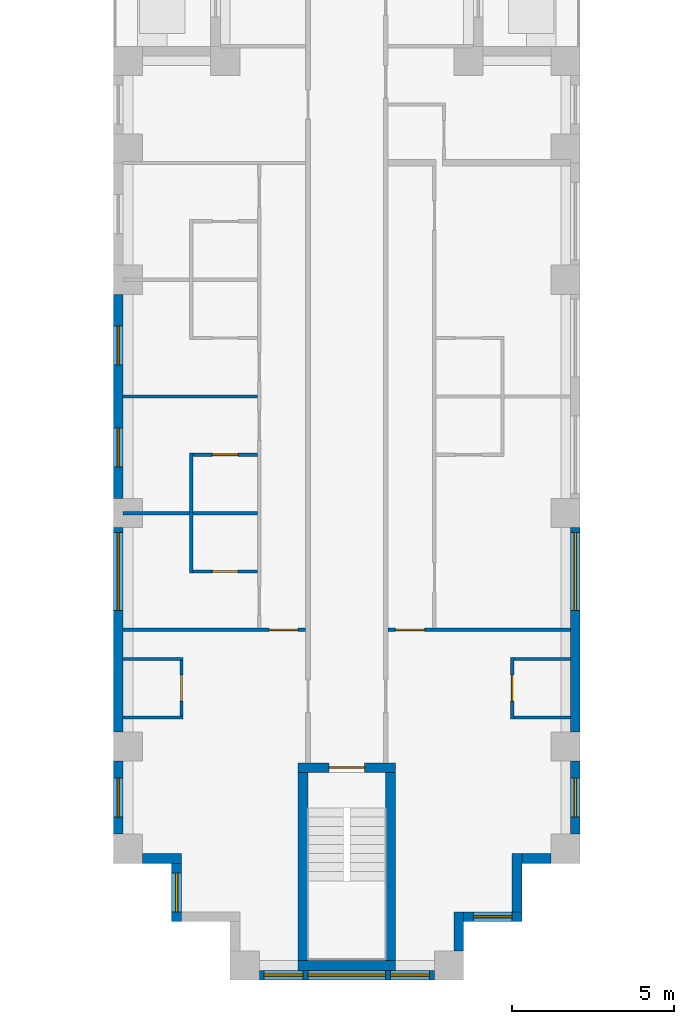
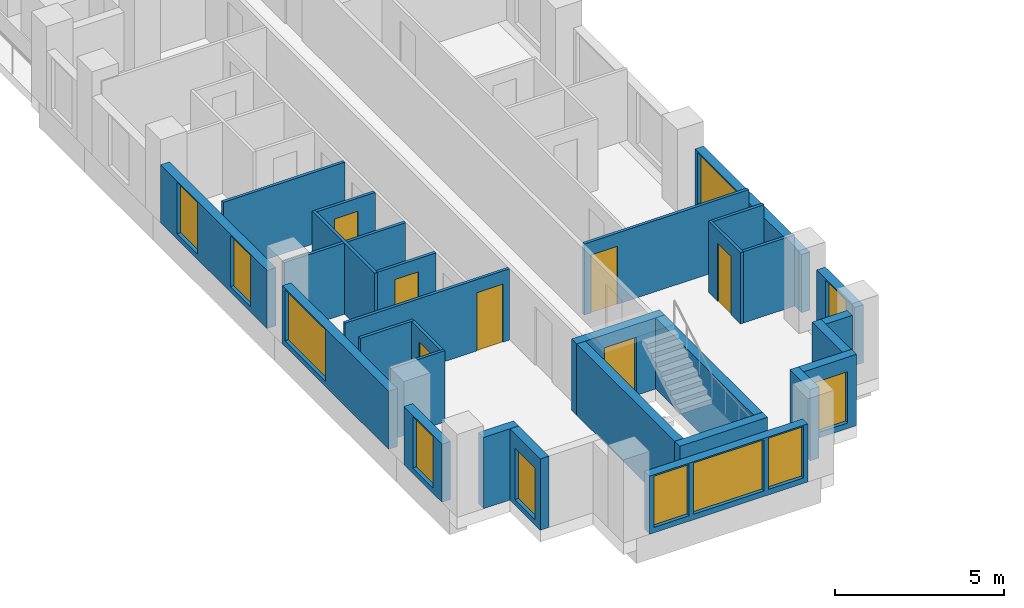
# One storey, part 3 of 13: 29 walls, 11 windows, 7 doors, 18 openings.
"""IFC4 building model written with IfcOpenShell, lengths in metres."""

import ifcopenshell
import ifcopenshell.guid

model = None  # the IFC model being written
_history = None  # IfcOwnerHistory: only IFC2X3 demands one
_inside = {}  # id of a spatial element -> (the spatial element, [elements in it])
_under = {}  # id of a project, library or spatial element -> (it, [spatial elements below it])
_declared = {}  # id of a project -> (the project, [libraries it declares])
_typed = {}  # id of a type object -> (the type object, [elements of that type])
_made_of = {}  # id of a material, layer set ... -> (it, [elements and type objects made of it])


def new_model(schema):
    """Start an empty IFC model of exactly this schema.

    Asked for "IFC4X3", IfcOpenShell would pick the latest addendum, in which some entities
    have other attributes; the version numbers below select the first issue.
    IFC2X3 requires an IfcOwnerHistory on every rooted entity: one is made here for all.
    """
    global model, _history
    if schema == "IFC4X3":
        model = ifcopenshell.file(schema_version=(4, 3, 0, 0))
    else:
        model = ifcopenshell.file(schema=schema)
    _inside.clear()
    _under.clear()
    _declared.clear()
    _typed.clear()
    _made_of.clear()
    _history = None
    if model.schema == "IFC2X3":
        org = make("IfcOrganization", Name="unknown")
        user = make(
            "IfcPersonAndOrganization",
            ThePerson=make("IfcPerson", FamilyName="unknown"),
            TheOrganization=org,
        )
        app = make(
            "IfcApplication",
            ApplicationDeveloper=org,
            Version="unknown",
            ApplicationFullName="unknown",
            ApplicationIdentifier="unknown",
        )
        _history = make(
            "IfcOwnerHistory",
            OwningUser=user,
            OwningApplication=app,
            ChangeAction="ADDED",
            CreationDate=0,
        )
    return model


def make(cls, **values):
    """One entity of the class cls with the attributes given. An attribute that is None is left unset."""
    return model.create_entity(
        cls, **{name: value for name, value in values.items() if value is not None}
    )


def rooted(cls, **values):
    """An entity with a GlobalId (a new one), such as an element, a storey or a relation."""
    return make(cls, GlobalId=ifcopenshell.guid.new(), OwnerHistory=_history, **values)


def si_unit(unit_type, name, prefix=None):
    """IfcSIUnit, for example si_unit("LENGTHUNIT", "METRE", prefix="MILLI")."""
    return make("IfcSIUnit", UnitType=unit_type, Prefix=prefix, Name=name)


def assignment(units):
    """IfcUnitAssignment: the units of a project."""
    return None if units is None else make("IfcUnitAssignment", Units=units)


def point(xyz):
    """IfcCartesianPoint."""
    return None if xyz is None else make("IfcCartesianPoint", Coordinates=xyz)


def direction(xyz):
    """IfcDirection."""
    return None if xyz is None else make("IfcDirection", DirectionRatios=xyz)


def frame(location, z_axis=None, x_axis=None):
    """IfcAxis2Placement3D, a coordinate frame: its origin and axes. An axis left out is left unset."""
    return make(
        "IfcAxis2Placement3D",
        Location=point(location),
        Axis=direction(z_axis),
        RefDirection=direction(x_axis),
    )


def frame_2d(location, x_axis=None):
    """IfcAxis2Placement2D, a coordinate frame in the plane: its origin and x axis."""
    return make(
        "IfcAxis2Placement2D", Location=point(location), RefDirection=direction(x_axis)
    )


def origin():
    """The frame at (0, 0, 0) with its axes left unset."""
    return frame((0.0, 0.0, 0.0))


def place(relative_to, where):
    """IfcLocalPlacement: puts the frame where relative to a parent placement (None: the world)."""
    return make(
        "IfcLocalPlacement", PlacementRelTo=relative_to, RelativePlacement=where
    )


def context(
    kind, dimensions, precision=None, world=None, true_north=None, identifier=None
):
    """IfcGeometricRepresentationContext, for example the 3D "Model" context."""
    return make(
        "IfcGeometricRepresentationContext",
        ContextIdentifier=identifier,
        ContextType=kind,
        CoordinateSpaceDimension=dimensions,
        Precision=precision,
        WorldCoordinateSystem=world,
        TrueNorth=true_north,
    )


def subcontext(parent, identifier, kind, view, scale=None):
    """IfcGeometricRepresentationSubContext, for example "Body" below "Model"."""
    return make(
        "IfcGeometricRepresentationSubContext",
        ContextIdentifier=identifier,
        ContextType=kind,
        ParentContext=parent,
        TargetScale=scale,
        TargetView=view,
    )


def project(units=None, contexts=None):
    """IfcProject with its units and contexts."""
    return rooted(
        "IfcProject",
        Name="project",
        RepresentationContexts=contexts,
        UnitsInContext=assignment(units),
    )


def spatial(cls, under=None, at=None, **own):
    """A site, building, storey or space (cls), placed at a placement, below another one or the project."""
    s = rooted(cls, ObjectPlacement=at, **own)
    if under is not None:
        _under.setdefault(under.id(), (under, []))[1].append(s)
    return s


def profile(cls, at=None, kind="AREA", **sizes):
    """A parametric profile (cls). Its sizes go by their IFC names, for example OverallWidth=200.0."""
    return make(cls, ProfileType=kind, Position=at, **sizes)


def rectangle(**sizes):
    """IfcRectangleProfileDef."""
    return profile("IfcRectangleProfileDef", **sizes)


def extrude(swept, where, along, depth):
    """IfcExtrudedAreaSolid: the profile swept, set in the frame where, extruded along a direction by depth."""
    return make(
        "IfcExtrudedAreaSolid",
        SweptArea=swept,
        Position=where,
        ExtrudedDirection=direction(along),
        Depth=depth,
    )


def shape(context_of_items, identifier, shape_type, items):
    """IfcShapeRepresentation: the items that make up one representation, for example the "Body"."""
    return make(
        "IfcShapeRepresentation",
        ContextOfItems=context_of_items,
        RepresentationIdentifier=identifier,
        RepresentationType=shape_type,
        Items=items,
    )


def material(Name=None, Category=None):
    """IfcMaterial."""
    return make("IfcMaterial", Name=Name, Category=Category)


def layer(
    of_material, thickness, ventilated=None, Name=None, Category=None, Priority=None
):
    """IfcMaterialLayer: one layer of a wall or slab, of a material (None: an air gap)."""
    return make(
        "IfcMaterialLayer",
        Material=of_material,
        LayerThickness=thickness,
        IsVentilated=ventilated,
        Name=Name,
        Category=Category,
        Priority=Priority,
    )


def layer_set(layers, Name=None):
    """IfcMaterialLayerSet."""
    return make("IfcMaterialLayerSet", MaterialLayers=layers, LayerSetName=Name)


def made_of(thing, what):
    """Note that an element or type object is made of a material, layer set ...; save() writes the relation."""
    if what is not None:
        _made_of.setdefault(what.id(), (what, []))[1].append(thing)
    return thing


def type_object(cls, material=None, **own):
    """A type object (cls), such as IfcWallType, which elements share."""
    return made_of(rooted(cls, **own), material)


def element(
    cls,
    number,
    at=None,
    inside=None,
    cuts=None,
    type_object=None,
    material=None,
    context=None,
    identifier="Body",
    shape_type=None,
    held_by="IfcProductDefinitionShape",
    body=None,
    shapes=None,
    **own,
):
    """One element of the class cls, such as IfcWall. Its Tag is "e" and its number.

    at: its placement. inside: the storey or other place that contains it. cuts: it is an
    opening in that element (IfcRelVoidsElement). A single representation is given by context,
    identifier, shape_type and body (its items); several are given by shapes. held_by: the class
    of the entity that holds the representations. save() writes the other relations.
    """
    e = rooted(cls, Tag="e%d" % number, ObjectPlacement=at, **own)
    if body is not None:
        shapes = [shape(context, identifier, shape_type, body)]
    if shapes is not None:
        e.Representation = make(held_by, Representations=shapes)
    if inside is not None:
        _inside.setdefault(inside.id(), (inside, []))[1].append(e)
    if cuts is not None:
        rooted(
            "IfcRelVoidsElement", RelatingBuildingElement=cuts, RelatedOpeningElement=e
        )
    if type_object is not None:
        _typed.setdefault(type_object.id(), (type_object, []))[1].append(e)
    return made_of(e, material)


def fill(opening, filler):
    """IfcRelFillsElement: the door or window that sits in an opening."""
    return rooted(
        "IfcRelFillsElement",
        RelatingOpeningElement=opening,
        RelatedBuildingElement=filler,
    )


def aggregate(whole, parts):
    """IfcRelAggregates: a whole, such as a stair, and the parts it consists of."""
    return rooted("IfcRelAggregates", RelatingObject=whole, RelatedObjects=parts)


def save(model, path):
    """Write the relations noted so far, then the file.

    IfcRelAggregates (storeys below a building ...), IfcRelContainedInSpatialStructure (elements
    in a storey), IfcRelDefinesByType, IfcRelAssociatesMaterial and IfcRelDeclares: one each for
    every whole, place, type object, material and project.
    """
    for whole, parts in _under.values():
        aggregate(whole, parts)
    for where, things in _inside.values():
        rooted(
            "IfcRelContainedInSpatialStructure",
            RelatedElements=things,
            RelatingStructure=where,
        )
    for kind, things in _typed.values():
        rooted("IfcRelDefinesByType", RelatedObjects=things, RelatingType=kind)
    for what, things in _made_of.values():
        rooted("IfcRelAssociatesMaterial", RelatedObjects=things, RelatingMaterial=what)
    for by, libraries in _declared.values():
        rooted("IfcRelDeclares", RelatingContext=by, RelatedDefinitions=libraries)
    model.write(path)


model = new_model("IFC4")

# Units and contexts
model_context = context("Model", 3, precision=1e-05, world=origin(), true_north=direction((0.0, 1.0)))
body_context = subcontext(model_context, "Body", "Model", "MODEL_VIEW")
ifc_project = project(units=[si_unit("LENGTHUNIT", "METRE"), si_unit("AREAUNIT", "SQUARE_METRE"), si_unit("VOLUMEUNIT", "CUBIC_METRE"), si_unit("PLANEANGLEUNIT", "RADIAN"), si_unit("MASSUNIT", "GRAM", prefix="KILO")], contexts=[model_context])

# Site, building, storey
site_placement = place(None, origin())
site = spatial("IfcSite", under=ifc_project, at=site_placement, CompositionType="ELEMENT")
building_placement = place(site_placement, origin())
building = spatial("IfcBuilding", under=site, at=building_placement, Name="Fustian Cross Tower", CompositionType="ELEMENT")
storey_placement = place(building_placement, frame((0.0, 0.0, 87.89990234375)))
storey = spatial("IfcBuildingStorey", under=building, at=storey_placement, Name="L27", CompositionType="ELEMENT", Elevation=87.89990234375)

# Walls
ifc_material_1 = material(Name="Plasterboard on steel stud", Category="steel")
ifc_layer_1 = layer(ifc_material_1, 0.10009765625)
ifc_layer_set_1 = layer_set([ifc_layer_1], Name="Plasterboard on steel stud")
wall_type_1 = type_object("IfcWallType", Name="PARTITION 100 STUD", PredefinedType="PARTITIONING", material=ifc_layer_set_1)
for number, where, z_axis, x_axis, name in (
    (1, (-6.89990234375, -35.10009765625, 0.0), (0.0, 0.0, 1.0), (1.0, 0.0, 0.0), "Partition 17"),
    (2, (-6.89990234375, -33.300048828125, 0.0), (0.0, 0.0, 1.0), (1.0, 0.0, 0.0), "Partition 18"),
):
    element("IfcWall", number, at=place(storey_placement, frame(where, z_axis=z_axis, x_axis=x_axis)), inside=storey, type_object=wall_type_1, Name=name, PredefinedType="PARTITIONING", context=body_context, shape_type="SweptSolid", body=[
        extrude(rectangle(XDim=1.849853515625, YDim=0.10009765625, at=frame_2d((0.9248046875, 0.0))), origin(), (0.0, 0.0, 1.0), 2.5751953125),
    ])

# Wall, opening, door
wall_1_placement = place(storey_placement, frame((-6.89990234375, -32.39990234375, 0.0), z_axis=(0.0, 0.0, 1.0), x_axis=(1.0, 0.0, 0.0)))
wall_1 = element("IfcWall", 3, at=wall_1_placement, inside=storey, type_object=wall_type_1, Name="Partition 19", PredefinedType="PARTITIONING", context=body_context, shape_type="SweptSolid", body=[
    extrude(rectangle(XDim=5.625, YDim=0.10009765625, at=frame_2d((2.8125, 0.0))), origin(), (0.0, 0.0, 1.0), 2.5751953125),
])
opening_1_placement = place(wall_1_placement, frame((4.5, 0.0, 0.0)))
opening_1 = element("IfcOpeningElement", 4, at=opening_1_placement, cuts=wall_1, Name="Opening D13051", PredefinedType="OPENING", context=body_context, shape_type="SweptSolid", body=[
    extrude(rectangle(XDim=0.89990234375, YDim=2.10009765625, at=frame_2d((0.449951171875, 1.050048828125))), frame((0.0, 0.06005859375, 0.0), z_axis=(0.0, -1.0, 0.0), x_axis=(1.0, 0.0, 0.0)), (0.0, 0.0, 1.0), 0.1201171875),
])
ifc_material_2 = material(Name="Painted timber", Category="wood")
door_type_1 = type_object("IfcDoorType", Name="SWING DOOR 900", OperationType="SINGLE_SWING_LEFT", PredefinedType="DOOR", material=ifc_material_2)
door_1_placement = place(opening_1_placement, origin())
door_1 = element("IfcDoor", 5, at=door_1_placement, inside=storey, type_object=door_type_1, Name="Door D13051", OperationType="SINGLE_SWING_LEFT", OverallHeight=2.10009765625, OverallWidth=0.89990234375, PredefinedType="DOOR", context=body_context, shape_type="SweptSolid", body=[
    extrude(rectangle(XDim=0.89990234375, YDim=2.10009765625, at=frame_2d((0.449951171875, 1.050048828125))), frame((0.0, 0.02490234375, 0.0), z_axis=(0.0, -1.0, 0.0), x_axis=(1.0, 0.0, 0.0)), (0.0, 0.0, 1.0), 0.050048828125),
])
fill(opening_1, door_1)

# Walls
for number, where, z_axis, x_axis, name in (
    (6, (-6.89990234375, -28.800048828125, 0.0), (0.0, 0.0, 1.0), (1.0, 0.0, 0.0), "Partition 20"),
    (7, (-6.89990234375, -25.199951171875, 0.0), (0.0, 0.0, 1.0), (1.0, 0.0, 0.0), "Partition 21"),
):
    element("IfcWall", number, at=place(storey_placement, frame(where, z_axis=z_axis, x_axis=x_axis)), inside=storey, type_object=wall_type_1, Name=name, PredefinedType="PARTITIONING", context=body_context, shape_type="SweptSolid", body=[
        extrude(rectangle(XDim=4.14990234375, YDim=0.10009765625, at=frame_2d((2.074951171875, 0.0))), origin(), (0.0, 0.0, 1.0), 2.5751953125),
    ])

# Wall, opening, door
wall_2_placement = place(storey_placement, frame((-5.10009765625, -35.050048828125, 0.0), z_axis=(0.0, 0.0, 1.0), x_axis=(0.0, 1.0, 0.0)))
wall_2 = element("IfcWall", 8, at=wall_2_placement, inside=storey, type_object=wall_type_1, Name="Partition 24", PredefinedType="PARTITIONING", context=body_context, shape_type="SweptSolid", body=[
    extrude(rectangle(XDim=1.699951171875, YDim=0.10009765625, at=frame_2d((0.85009765625, 0.0))), origin(), (0.0, 0.0, 1.0), 2.5751953125),
])
opening_2_placement = place(wall_2_placement, frame((0.449951171875, 0.0, 0.0)))
opening_2 = element("IfcOpeningElement", 9, at=opening_2_placement, cuts=wall_2, Name="Opening D13045", PredefinedType="OPENING", context=body_context, shape_type="SweptSolid", body=[
    extrude(rectangle(XDim=0.800048828125, YDim=2.10009765625, at=frame_2d((0.39990234375, 1.050048828125))), frame((0.0, 0.06005859375, 0.0), z_axis=(0.0, -1.0, 0.0), x_axis=(1.0, 0.0, 0.0)), (0.0, 0.0, 1.0), 0.1201171875),
])
ifc_material_3 = material(Name="Painted timber", Category="wood")
door_type_2 = type_object("IfcDoorType", Name="SWING DOOR 800", OperationType="SINGLE_SWING_LEFT", PredefinedType="DOOR", material=ifc_material_3)
door_2_placement = place(opening_2_placement, origin())
door_2 = element("IfcDoor", 10, at=door_2_placement, inside=storey, type_object=door_type_2, Name="Door D13045", OperationType="SINGLE_SWING_RIGHT", OverallHeight=2.10009765625, OverallWidth=0.800048828125, PredefinedType="DOOR", context=body_context, shape_type="SweptSolid", body=[
    extrude(rectangle(XDim=0.800048828125, YDim=2.10009765625, at=frame_2d((0.39990234375, 1.050048828125))), frame((0.0, 0.02490234375, 0.0), z_axis=(0.0, -1.0, 0.0), x_axis=(1.0, 0.0, 0.0)), (0.0, 0.0, 1.0), 0.050048828125),
])
fill(opening_2, door_2)

# Wall
wall_3_placement = place(storey_placement, frame((-4.800048828125, -30.64990234375, 0.0), z_axis=(0.0, 0.0, 1.0), x_axis=(0.0, 1.0, 0.0)))
element("IfcWall", 11, at=wall_3_placement, inside=storey, type_object=wall_type_1, Name="Partition 25", PredefinedType="PARTITIONING", context=body_context, shape_type="SweptSolid", body=[
    extrude(rectangle(XDim=3.699951171875, YDim=0.10009765625, at=frame_2d((1.85009765625, 0.0))), origin(), (0.0, 0.0, 1.0), 2.5751953125),
])

# Wall, opening, door
wall_4_placement = place(storey_placement, frame((-4.75, -30.60009765625, 0.0), z_axis=(0.0, 0.0, 1.0), x_axis=(1.0, 0.0, 0.0)))
wall_4 = element("IfcWall", 12, at=wall_4_placement, inside=storey, type_object=wall_type_1, Name="Partition 26", PredefinedType="PARTITIONING", context=body_context, shape_type="SweptSolid", body=[
    extrude(rectangle(XDim=2.0, YDim=0.10009765625, at=frame_2d((1.0, 0.0))), origin(), (0.0, 0.0, 1.0), 2.5751953125),
])
opening_3_placement = place(wall_4_placement, frame((0.60009765625, 0.0, 0.0)))
opening_3 = element("IfcOpeningElement", 13, at=opening_3_placement, cuts=wall_4, Name="Opening D13055", PredefinedType="OPENING", context=body_context, shape_type="SweptSolid", body=[
    extrude(rectangle(XDim=0.800048828125, YDim=2.10009765625, at=frame_2d((0.39990234375, 1.050048828125))), frame((0.0, 0.06005859375, 0.0), z_axis=(0.0, -1.0, 0.0), x_axis=(1.0, 0.0, 0.0)), (0.0, 0.0, 1.0), 0.1201171875),
])
door_3_placement = place(opening_3_placement, origin())
door_3 = element("IfcDoor", 14, at=door_3_placement, inside=storey, type_object=door_type_2, Name="Door D13055", OperationType="SINGLE_SWING_LEFT", OverallHeight=2.10009765625, OverallWidth=0.800048828125, PredefinedType="DOOR", context=body_context, shape_type="SweptSolid", body=[
    extrude(rectangle(XDim=0.800048828125, YDim=2.10009765625, at=frame_2d((0.39990234375, 1.050048828125))), frame((0.0, 0.02490234375, 0.0), z_axis=(0.0, -1.0, 0.0), x_axis=(1.0, 0.0, 0.0)), (0.0, 0.0, 1.0), 0.050048828125),
])
fill(opening_3, door_3)

wall_5_placement = place(storey_placement, frame((-4.75, -27.0, 0.0), z_axis=(0.0, 0.0, 1.0), x_axis=(1.0, 0.0, 0.0)))
wall_5 = element("IfcWall", 15, at=wall_5_placement, inside=storey, type_object=wall_type_1, Name="Partition 27", PredefinedType="PARTITIONING", context=body_context, shape_type="SweptSolid", body=[
    extrude(rectangle(XDim=2.0, YDim=0.10009765625, at=frame_2d((1.0, 0.0))), origin(), (0.0, 0.0, 1.0), 2.5751953125),
])
opening_4_placement = place(wall_5_placement, frame((0.60009765625, 0.0, 0.0)))
opening_4 = element("IfcOpeningElement", 16, at=opening_4_placement, cuts=wall_5, Name="Opening D13054", PredefinedType="OPENING", context=body_context, shape_type="SweptSolid", body=[
    extrude(rectangle(XDim=0.800048828125, YDim=2.10009765625, at=frame_2d((0.39990234375, 1.050048828125))), frame((0.0, 0.06005859375, 0.0), z_axis=(0.0, -1.0, 0.0), x_axis=(1.0, 0.0, 0.0)), (0.0, 0.0, 1.0), 0.1201171875),
])
door_4_placement = place(opening_4_placement, frame((0.800048828125, 0.0, 0.0), z_axis=(0.0, 0.0, 1.0), x_axis=(-1.0, 0.0, 0.0)))
door_4 = element("IfcDoor", 17, at=door_4_placement, inside=storey, type_object=door_type_2, Name="Door D13054", OperationType="SINGLE_SWING_RIGHT", OverallHeight=2.10009765625, OverallWidth=0.800048828125, PredefinedType="DOOR", context=body_context, shape_type="SweptSolid", body=[
    extrude(rectangle(XDim=0.800048828125, YDim=2.10009765625, at=frame_2d((0.39990234375, 1.050048828125))), frame((0.0, 0.02490234375, 0.0), z_axis=(0.0, -1.0, 0.0), x_axis=(1.0, 0.0, 0.0)), (0.0, 0.0, 1.0), 0.050048828125),
])
fill(opening_4, door_4)

wall_6_placement = place(storey_placement, frame((1.27490234375, -32.39990234375, 0.0), z_axis=(0.0, 0.0, 1.0), x_axis=(1.0, 0.0, 0.0)))
wall_6 = element("IfcWall", 18, at=wall_6_placement, inside=storey, type_object=wall_type_1, Name="Partition 42", PredefinedType="PARTITIONING", context=body_context, shape_type="SweptSolid", body=[
    extrude(rectangle(XDim=5.625, YDim=0.10009765625, at=frame_2d((2.8125, 0.0))), origin(), (0.0, 0.0, 1.0), 2.5751953125),
])
opening_5_placement = place(wall_6_placement, frame((0.22509765625, 0.0, 0.0)))
opening_5 = element("IfcOpeningElement", 19, at=opening_5_placement, cuts=wall_6, Name="Opening D13038", PredefinedType="OPENING", context=body_context, shape_type="SweptSolid", body=[
    extrude(rectangle(XDim=0.89990234375, YDim=2.10009765625, at=frame_2d((0.449951171875, 1.050048828125))), frame((0.0, 0.06005859375, 0.0), z_axis=(0.0, -1.0, 0.0), x_axis=(1.0, 0.0, 0.0)), (0.0, 0.0, 1.0), 0.1201171875),
])
door_5_placement = place(opening_5_placement, origin())
door_5 = element("IfcDoor", 20, at=door_5_placement, inside=storey, type_object=door_type_1, Name="Door D13038", OperationType="SINGLE_SWING_LEFT", OverallHeight=2.10009765625, OverallWidth=0.89990234375, PredefinedType="DOOR", context=body_context, shape_type="SweptSolid", body=[
    extrude(rectangle(XDim=0.89990234375, YDim=2.10009765625, at=frame_2d((0.449951171875, 1.050048828125))), frame((0.0, 0.02490234375, 0.0), z_axis=(0.0, -1.0, 0.0), x_axis=(1.0, 0.0, 0.0)), (0.0, 0.0, 1.0), 0.050048828125),
])
fill(opening_5, door_5)

wall_7_placement = place(storey_placement, frame((5.10009765625, -35.14990234375, 0.0), z_axis=(0.0, 0.0, 1.0), x_axis=(0.0, 1.0, 0.0)))
wall_7 = element("IfcWall", 21, at=wall_7_placement, inside=storey, type_object=wall_type_1, Name="Partition 66", PredefinedType="PARTITIONING", context=body_context, shape_type="SweptSolid", body=[
    extrude(rectangle(XDim=1.89990234375, YDim=0.10009765625, at=frame_2d((0.949951171875, 0.0))), origin(), (0.0, 0.0, 1.0), 2.5751953125),
])
opening_6_placement = place(wall_7_placement, frame((0.550048828125, 0.0, 0.0)))
opening_6 = element("IfcOpeningElement", 22, at=opening_6_placement, cuts=wall_7, Name="Opening D13036", PredefinedType="OPENING", context=body_context, shape_type="SweptSolid", body=[
    extrude(rectangle(XDim=0.800048828125, YDim=2.10009765625, at=frame_2d((0.39990234375, 1.050048828125))), frame((0.0, 0.06005859375, 0.0), z_axis=(0.0, -1.0, 0.0), x_axis=(1.0, 0.0, 0.0)), (0.0, 0.0, 1.0), 0.1201171875),
])
door_6_placement = place(opening_6_placement, frame((0.800048828125, 0.0, 0.0), z_axis=(0.0, 0.0, 1.0), x_axis=(-1.0, 0.0, 0.0)))
door_6 = element("IfcDoor", 23, at=door_6_placement, inside=storey, type_object=door_type_2, Name="Door D13036", OperationType="SINGLE_SWING_LEFT", OverallHeight=2.10009765625, OverallWidth=0.800048828125, PredefinedType="DOOR", context=body_context, shape_type="SweptSolid", body=[
    extrude(rectangle(XDim=0.800048828125, YDim=2.10009765625, at=frame_2d((0.39990234375, 1.050048828125))), frame((0.0, 0.02490234375, 0.0), z_axis=(0.0, -1.0, 0.0), x_axis=(1.0, 0.0, 0.0)), (0.0, 0.0, 1.0), 0.050048828125),
])
fill(opening_6, door_6)

# Walls
for number, where, z_axis, x_axis, name in (
    (24, (5.14990234375, -35.10009765625, 0.0), (0.0, 0.0, 1.0), (1.0, 0.0, 0.0), "Partition 67"),
    (25, (5.14990234375, -33.300048828125, 0.0), (0.0, 0.0, 1.0), (1.0, 0.0, 0.0), "Partition 68"),
):
    element("IfcWall", number, at=place(storey_placement, frame(where, z_axis=z_axis, x_axis=x_axis)), inside=storey, type_object=wall_type_1, Name=name, PredefinedType="PARTITIONING", context=body_context, shape_type="SweptSolid", body=[
        extrude(rectangle(XDim=1.75, YDim=0.10009765625, at=frame_2d((0.875, 0.0))), origin(), (0.0, 0.0, 1.0), 2.5751953125),
    ])

# Wall, opening, door
ifc_material_4 = material(Name="Concrete C50/60", Category="concrete")
ifc_layer_2 = layer(ifc_material_4, 0.300048828125)
ifc_layer_set_2 = layer_set([ifc_layer_2], Name="Concrete C50/60")
wall_type_2 = type_object("IfcWallType", Name="STAIR ENCLOSURE WALL 300 C50/60", PredefinedType="SHEAR", material=ifc_layer_set_2)
wall_8_placement = place(storey_placement, frame((-1.5, -36.64990234375, 0.0), z_axis=(0.0, 0.0, 1.0), x_axis=(1.0, 0.0, 0.0)))
wall_8 = element("IfcWall", 26, at=wall_8_placement, inside=storey, type_object=wall_type_2, Name="Stair enclosure wall", PredefinedType="SHEAR", context=body_context, shape_type="SweptSolid", body=[
    extrude(rectangle(XDim=3.0, YDim=0.300048828125, at=frame_2d((1.5, 0.0))), origin(), (0.0, 0.0, 1.0), 2.5751953125),
])
opening_7_placement = place(wall_8_placement, frame((0.949951171875, 0.0, 0.0)))
opening_7 = element("IfcOpeningElement", 27, at=opening_7_placement, cuts=wall_8, Name="Opening CD-11-31", PredefinedType="OPENING", context=body_context, shape_type="SweptSolid", body=[
    extrude(rectangle(XDim=1.10009765625, YDim=2.10009765625, at=frame_2d((0.550048828125, 1.050048828125))), frame((0.0, 0.159912109375, 0.0), z_axis=(0.0, -1.0, 0.0), x_axis=(1.0, 0.0, 0.0)), (0.0, 0.0, 1.0), 0.320068359375),
])
ifc_material_5 = material(Name="Steel", Category="steel")
door_type_3 = type_object("IfcDoorType", Name="FIRE DOOR FD60S 1100X2100", OperationType="SINGLE_SWING_LEFT", PredefinedType="DOOR", material=ifc_material_5)
door_7_placement = place(opening_7_placement, frame((1.10009765625, 0.0, 0.0), z_axis=(0.0, 0.0, 1.0), x_axis=(-1.0, 0.0, 0.0)))
door_7 = element("IfcDoor", 28, at=door_7_placement, inside=storey, type_object=door_type_3, Name="Core door CD-11-31", OperationType="SINGLE_SWING_RIGHT", OverallHeight=2.10009765625, OverallWidth=1.10009765625, PredefinedType="DOOR", context=body_context, shape_type="SweptSolid", body=[
    extrude(rectangle(XDim=1.10009765625, YDim=2.10009765625, at=frame_2d((0.550048828125, 1.050048828125))), frame((0.0, 0.02490234375, 0.0), z_axis=(0.0, -1.0, 0.0), x_axis=(1.0, 0.0, 0.0)), (0.0, 0.0, 1.0), 0.050048828125),
])
fill(opening_7, door_7)

# Walls
wall_9_placement = place(storey_placement, frame((-1.5, -42.75, 0.0), z_axis=(0.0, 0.0, 1.0), x_axis=(1.0, 0.0, 0.0)))
element("IfcWall", 29, at=wall_9_placement, inside=storey, type_object=wall_type_2, Name="Stair enclosure wall", PredefinedType="SHEAR", context=body_context, shape_type="SweptSolid", body=[
    extrude(rectangle(XDim=3.0, YDim=0.300048828125, at=frame_2d((1.5, 0.0))), origin(), (0.0, 0.0, 1.0), 2.5751953125),
])
for number, where, z_axis, x_axis, name in (
    (30, (-1.35009765625, -36.800048828125, 0.0), (0.0, 0.0, 1.0), (0.0, -1.0, 0.0), "Stair enclosure wall"),
    (31, (1.35009765625, -36.800048828125, 0.0), (0.0, 0.0, 1.0), (0.0, -1.0, 0.0), "Stair enclosure wall"),
):
    element("IfcWall", number, at=place(storey_placement, frame(where, z_axis=z_axis, x_axis=x_axis)), inside=storey, type_object=wall_type_2, Name=name, PredefinedType="SHEAR", context=body_context, shape_type="SweptSolid", body=[
        extrude(rectangle(XDim=5.800048828125, YDim=0.300048828125, at=frame_2d((2.89990234375, 0.0))), origin(), (0.0, 0.0, 1.0), 2.5751953125),
    ])

# Wall, openings, windows
ifc_material_6 = material(Name="Dark aluminium cladding on insulated backing wall", Category="aluminium")
ifc_layer_3 = layer(ifc_material_6, 0.300048828125)
ifc_layer_set_3 = layer_set([ifc_layer_3], Name="Dark aluminium cladding on insulated backing wall")
wall_type_3 = type_object("IfcWallType", Name="XW1 EXTERNAL WALL 300", PredefinedType="SOLIDWALL", material=ifc_layer_set_3)
wall_10_placement = place(storey_placement, frame((-7.050048828125, -22.050048828125, 0.0), z_axis=(0.0, 0.0, 1.0), x_axis=(0.0, -1.0, 0.0)))
wall_10 = element("IfcWall", 32, at=wall_10_placement, inside=storey, type_object=wall_type_3, Name="External wall", PredefinedType="SOLIDWALL", context=body_context, shape_type="SweptSolid", body=[
    extrude(rectangle(XDim=6.300048828125, YDim=0.300048828125, at=frame_2d((3.14990234375, 0.0))), origin(), (0.0, 0.0, 1.0), 2.10009765625),
])
opening_8_placement = place(wall_10_placement, frame((0.97509765625, 0.0, 0.199951171875)))
opening_8 = element("IfcOpeningElement", 33, at=opening_8_placement, cuts=wall_10, Name="Opening WN3", PredefinedType="OPENING", context=body_context, shape_type="SweptSolid", body=[
    extrude(rectangle(XDim=1.199951171875, YDim=1.85009765625, at=frame_2d((0.60009765625, 0.925048828125))), frame((0.0, 0.159912109375, 0.0), z_axis=(0.0, -1.0, 0.0), x_axis=(1.0, 0.0, 0.0)), (0.0, 0.0, 1.0), 0.320068359375),
])
opening_9_placement = place(wall_10_placement, frame((4.125, 0.0, 0.199951171875)))
opening_9 = element("IfcOpeningElement", 34, at=opening_9_placement, cuts=wall_10, Name="Opening WN3", PredefinedType="OPENING", context=body_context, shape_type="SweptSolid", body=[
    extrude(rectangle(XDim=1.199951171875, YDim=1.85009765625, at=frame_2d((0.60009765625, 0.925048828125))), frame((0.0, 0.159912109375, 0.0), z_axis=(0.0, -1.0, 0.0), x_axis=(1.0, 0.0, 0.0)), (0.0, 0.0, 1.0), 0.320068359375),
])
ifc_material_7 = material(Name="Dark anodised aluminium and double glazing", Category="aluminium")
window_type_1 = type_object("IfcWindowType", Name="WN3 WINDOW 1200X1850", PartitioningType="SINGLE_PANEL", PredefinedType="WINDOW", material=ifc_material_7)
window_1_placement = place(opening_8_placement, origin())
window_1 = element("IfcWindow", 35, at=window_1_placement, inside=storey, type_object=window_type_1, Name="Window", OverallHeight=1.85009765625, OverallWidth=1.199951171875, PartitioningType="SINGLE_PANEL", PredefinedType="WINDOW", context=body_context, shape_type="SweptSolid", body=[
    extrude(rectangle(XDim=1.199951171875, YDim=1.85009765625, at=frame_2d((0.60009765625, 0.925048828125))), frame((0.0, 0.030029296875, 0.0), z_axis=(0.0, -1.0, 0.0), x_axis=(1.0, 0.0, 0.0)), (0.0, 0.0, 1.0), 0.06005859375),
])
fill(opening_8, window_1)
window_2_placement = place(opening_9_placement, origin())
window_2 = element("IfcWindow", 36, at=window_2_placement, inside=storey, type_object=window_type_1, Name="Window", OverallHeight=1.85009765625, OverallWidth=1.199951171875, PartitioningType="SINGLE_PANEL", PredefinedType="WINDOW", context=body_context, shape_type="SweptSolid", body=[
    extrude(rectangle(XDim=1.199951171875, YDim=1.85009765625, at=frame_2d((0.60009765625, 0.925048828125))), frame((0.0, 0.030029296875, 0.0), z_axis=(0.0, -1.0, 0.0), x_axis=(1.0, 0.0, 0.0)), (0.0, 0.0, 1.0), 0.06005859375),
])
fill(opening_9, window_2)

# Wall, opening, window
wall_11_placement = place(storey_placement, frame((-7.050048828125, -29.25, 0.0), z_axis=(0.0, 0.0, 1.0), x_axis=(0.0, -1.0, 0.0)))
wall_11 = element("IfcWall", 37, at=wall_11_placement, inside=storey, type_object=wall_type_3, Name="External wall", PredefinedType="SOLIDWALL", context=body_context, shape_type="SweptSolid", body=[
    extrude(rectangle(XDim=6.300048828125, YDim=0.300048828125, at=frame_2d((3.14990234375, 0.0))), origin(), (0.0, 0.0, 1.0), 2.10009765625),
])
opening_10_placement = place(wall_11_placement, frame((0.14990234375, 0.0, 0.199951171875)))
opening_10 = element("IfcOpeningElement", 38, at=opening_10_placement, cuts=wall_11, Name="Opening WN1", PredefinedType="OPENING", context=body_context, shape_type="SweptSolid", body=[
    extrude(rectangle(XDim=2.39990234375, YDim=1.85009765625, at=frame_2d((1.199951171875, 0.925048828125))), frame((0.0, 0.159912109375, 0.0), z_axis=(0.0, -1.0, 0.0), x_axis=(1.0, 0.0, 0.0)), (0.0, 0.0, 1.0), 0.320068359375),
])
ifc_material_8 = material(Name="Dark anodised aluminium and double glazing", Category="aluminium")
window_type_2 = type_object("IfcWindowType", Name="WN1 WINDOW 2400X1850", PartitioningType="SINGLE_PANEL", PredefinedType="WINDOW", material=ifc_material_8)
window_3_placement = place(opening_10_placement, origin())
window_3 = element("IfcWindow", 39, at=window_3_placement, inside=storey, type_object=window_type_2, Name="Window", OverallHeight=1.85009765625, OverallWidth=2.39990234375, PartitioningType="SINGLE_PANEL", PredefinedType="WINDOW", context=body_context, shape_type="SweptSolid", body=[
    extrude(rectangle(XDim=2.39990234375, YDim=1.85009765625, at=frame_2d((1.199951171875, 0.925048828125))), frame((0.0, 0.030029296875, 0.0), z_axis=(0.0, -1.0, 0.0), x_axis=(1.0, 0.0, 0.0)), (0.0, 0.0, 1.0), 0.06005859375),
])
fill(opening_10, window_3)

wall_12_placement = place(storey_placement, frame((-7.050048828125, -36.449951171875, 0.0), z_axis=(0.0, 0.0, 1.0), x_axis=(0.0, -1.0, 0.0)))
wall_12 = element("IfcWall", 40, at=wall_12_placement, inside=storey, type_object=wall_type_3, Name="External wall", PredefinedType="SOLIDWALL", context=body_context, shape_type="SweptSolid", body=[
    extrude(rectangle(XDim=2.25, YDim=0.300048828125, at=frame_2d((1.125, 0.0))), origin(), (0.0, 0.0, 1.0), 2.10009765625),
])
opening_11_placement = place(wall_12_placement, frame((0.52490234375, 0.0, 0.199951171875)))
opening_11 = element("IfcOpeningElement", 41, at=opening_11_placement, cuts=wall_12, Name="Opening WN3", PredefinedType="OPENING", context=body_context, shape_type="SweptSolid", body=[
    extrude(rectangle(XDim=1.199951171875, YDim=1.85009765625, at=frame_2d((0.60009765625, 0.925048828125))), frame((0.0, 0.159912109375, 0.0), z_axis=(0.0, -1.0, 0.0), x_axis=(1.0, 0.0, 0.0)), (0.0, 0.0, 1.0), 0.320068359375),
])
window_4_placement = place(opening_11_placement, origin())
window_4 = element("IfcWindow", 42, at=window_4_placement, inside=storey, type_object=window_type_1, Name="Window", OverallHeight=1.85009765625, OverallWidth=1.199951171875, PartitioningType="SINGLE_PANEL", PredefinedType="WINDOW", context=body_context, shape_type="SweptSolid", body=[
    extrude(rectangle(XDim=1.199951171875, YDim=1.85009765625, at=frame_2d((0.60009765625, 0.925048828125))), frame((0.0, 0.030029296875, 0.0), z_axis=(0.0, -1.0, 0.0), x_axis=(1.0, 0.0, 0.0)), (0.0, 0.0, 1.0), 0.06005859375),
])
fill(opening_11, window_4)

# Wall
wall_13_placement = place(storey_placement, frame((-6.300048828125, -39.449951171875, 0.0), z_axis=(0.0, 0.0, 1.0), x_axis=(1.0, 0.0, 0.0)))
element("IfcWall", 43, at=wall_13_placement, inside=storey, type_object=wall_type_3, Name="External wall", PredefinedType="SOLIDWALL", context=body_context, shape_type="SweptSolid", body=[
    extrude(rectangle(XDim=1.199951171875, YDim=0.300048828125, at=frame_2d((0.60009765625, 0.0))), origin(), (0.0, 0.0, 1.0), 2.5751953125),
])

# Wall, opening, window
wall_14_placement = place(storey_placement, frame((-5.25, -39.60009765625, 0.0), z_axis=(0.0, 0.0, 1.0), x_axis=(0.0, -1.0, 0.0)))
wall_14 = element("IfcWall", 44, at=wall_14_placement, inside=storey, type_object=wall_type_3, Name="External wall", PredefinedType="SOLIDWALL", context=body_context, shape_type="SweptSolid", body=[
    extrude(rectangle(XDim=1.7998046875, YDim=0.300048828125, at=frame_2d((0.89990234375, 0.0))), origin(), (0.0, 0.0, 1.0), 2.5751953125),
])
opening_12_placement = place(wall_14_placement, frame((0.300048828125, 0.0, 0.199951171875)))
opening_12 = element("IfcOpeningElement", 45, at=opening_12_placement, cuts=wall_14, Name="Opening WN3", PredefinedType="OPENING", context=body_context, shape_type="SweptSolid", body=[
    extrude(rectangle(XDim=1.199951171875, YDim=1.85009765625, at=frame_2d((0.60009765625, 0.925048828125))), frame((0.0, 0.159912109375, 0.0), z_axis=(0.0, -1.0, 0.0), x_axis=(1.0, 0.0, 0.0)), (0.0, 0.0, 1.0), 0.320068359375),
])
window_5_placement = place(opening_12_placement, origin())
window_5 = element("IfcWindow", 46, at=window_5_placement, inside=storey, type_object=window_type_1, Name="Window", OverallHeight=1.85009765625, OverallWidth=1.199951171875, PartitioningType="SINGLE_PANEL", PredefinedType="WINDOW", context=body_context, shape_type="SweptSolid", body=[
    extrude(rectangle(XDim=1.199951171875, YDim=1.85009765625, at=frame_2d((0.60009765625, 0.925048828125))), frame((0.0, 0.030029296875, 0.0), z_axis=(0.0, -1.0, 0.0), x_axis=(1.0, 0.0, 0.0)), (0.0, 0.0, 1.0), 0.06005859375),
])
fill(opening_12, window_5)

# Wall, openings, windows
wall_15_placement = place(storey_placement, frame((-2.699951171875, -43.050048828125, 0.0), z_axis=(0.0, 0.0, 1.0), x_axis=(1.0, 0.0, 0.0)))
wall_15 = element("IfcWall", 47, at=wall_15_placement, inside=storey, type_object=wall_type_3, Name="External wall", PredefinedType="SOLIDWALL", context=body_context, shape_type="SweptSolid", body=[
    extrude(rectangle(XDim=5.39990234375, YDim=0.300048828125, at=frame_2d((2.699951171875, 0.0))), origin(), (0.0, 0.0, 1.0), 2.10009765625),
])
opening_13_placement = place(wall_15_placement, frame((1.5, 0.0, 0.199951171875)))
opening_13 = element("IfcOpeningElement", 48, at=opening_13_placement, cuts=wall_15, Name="Opening WN1", PredefinedType="OPENING", context=body_context, shape_type="SweptSolid", body=[
    extrude(rectangle(XDim=2.39990234375, YDim=1.85009765625, at=frame_2d((1.199951171875, 0.925048828125))), frame((0.0, 0.159912109375, 0.0), z_axis=(0.0, -1.0, 0.0), x_axis=(1.0, 0.0, 0.0)), (0.0, 0.0, 1.0), 0.320068359375),
])
opening_14_placement = place(wall_15_placement, frame((0.14990234375, 0.0, 0.199951171875)))
opening_14 = element("IfcOpeningElement", 49, at=opening_14_placement, cuts=wall_15, Name="Opening WN3", PredefinedType="OPENING", context=body_context, shape_type="SweptSolid", body=[
    extrude(rectangle(XDim=1.199951171875, YDim=1.85009765625, at=frame_2d((0.60009765625, 0.925048828125))), frame((0.0, 0.159912109375, 0.0), z_axis=(0.0, -1.0, 0.0), x_axis=(1.0, 0.0, 0.0)), (0.0, 0.0, 1.0), 0.320068359375),
])
opening_15_placement = place(wall_15_placement, frame((4.050048828125, 0.0, 0.199951171875)))
opening_15 = element("IfcOpeningElement", 50, at=opening_15_placement, cuts=wall_15, Name="Opening WN3", PredefinedType="OPENING", context=body_context, shape_type="SweptSolid", body=[
    extrude(rectangle(XDim=1.199951171875, YDim=1.85009765625, at=frame_2d((0.60009765625, 0.925048828125))), frame((0.0, 0.159912109375, 0.0), z_axis=(0.0, -1.0, 0.0), x_axis=(1.0, 0.0, 0.0)), (0.0, 0.0, 1.0), 0.320068359375),
])
window_6_placement = place(opening_13_placement, origin())
window_6 = element("IfcWindow", 51, at=window_6_placement, inside=storey, type_object=window_type_2, Name="Window", OverallHeight=1.85009765625, OverallWidth=2.39990234375, PartitioningType="SINGLE_PANEL", PredefinedType="WINDOW", context=body_context, shape_type="SweptSolid", body=[
    extrude(rectangle(XDim=2.39990234375, YDim=1.85009765625, at=frame_2d((1.199951171875, 0.925048828125))), frame((0.0, 0.030029296875, 0.0), z_axis=(0.0, -1.0, 0.0), x_axis=(1.0, 0.0, 0.0)), (0.0, 0.0, 1.0), 0.06005859375),
])
fill(opening_13, window_6)
window_7_placement = place(opening_14_placement, origin())
window_7 = element("IfcWindow", 52, at=window_7_placement, inside=storey, type_object=window_type_1, Name="Window", OverallHeight=1.85009765625, OverallWidth=1.199951171875, PartitioningType="SINGLE_PANEL", PredefinedType="WINDOW", context=body_context, shape_type="SweptSolid", body=[
    extrude(rectangle(XDim=1.199951171875, YDim=1.85009765625, at=frame_2d((0.60009765625, 0.925048828125))), frame((0.0, 0.030029296875, 0.0), z_axis=(0.0, -1.0, 0.0), x_axis=(1.0, 0.0, 0.0)), (0.0, 0.0, 1.0), 0.06005859375),
])
fill(opening_14, window_7)
window_8_placement = place(opening_15_placement, origin())
window_8 = element("IfcWindow", 53, at=window_8_placement, inside=storey, type_object=window_type_1, Name="Window", OverallHeight=1.85009765625, OverallWidth=1.199951171875, PartitioningType="SINGLE_PANEL", PredefinedType="WINDOW", context=body_context, shape_type="SweptSolid", body=[
    extrude(rectangle(XDim=1.199951171875, YDim=1.85009765625, at=frame_2d((0.60009765625, 0.925048828125))), frame((0.0, 0.030029296875, 0.0), z_axis=(0.0, -1.0, 0.0), x_axis=(1.0, 0.0, 0.0)), (0.0, 0.0, 1.0), 0.06005859375),
])
fill(opening_15, window_8)

# Wall
wall_16_placement = place(storey_placement, frame((3.449951171875, -42.300048828125, 0.0), z_axis=(0.0, 0.0, 1.0), x_axis=(0.0, 1.0, 0.0)))
element("IfcWall", 54, at=wall_16_placement, inside=storey, type_object=wall_type_3, Name="External wall", PredefinedType="SOLIDWALL", context=body_context, shape_type="SweptSolid", body=[
    extrude(rectangle(XDim=1.199951171875, YDim=0.300048828125, at=frame_2d((0.60009765625, 0.0))), origin(), (0.0, 0.0, 1.0), 2.5751953125),
])

# Wall, opening, window
wall_17_placement = place(storey_placement, frame((3.60009765625, -41.25, 0.0), z_axis=(0.0, 0.0, 1.0), x_axis=(1.0, 0.0, 0.0)))
wall_17 = element("IfcWall", 55, at=wall_17_placement, inside=storey, type_object=wall_type_3, Name="External wall", PredefinedType="SOLIDWALL", context=body_context, shape_type="SweptSolid", body=[
    extrude(rectangle(XDim=1.7998046875, YDim=0.300048828125, at=frame_2d((0.89990234375, 0.0))), origin(), (0.0, 0.0, 1.0), 2.5751953125),
])
opening_16_placement = place(wall_17_placement, frame((0.300048828125, 0.0, 0.199951171875)))
opening_16 = element("IfcOpeningElement", 56, at=opening_16_placement, cuts=wall_17, Name="Opening WN3", PredefinedType="OPENING", context=body_context, shape_type="SweptSolid", body=[
    extrude(rectangle(XDim=1.199951171875, YDim=1.85009765625, at=frame_2d((0.60009765625, 0.925048828125))), frame((0.0, 0.159912109375, 0.0), z_axis=(0.0, -1.0, 0.0), x_axis=(1.0, 0.0, 0.0)), (0.0, 0.0, 1.0), 0.320068359375),
])
window_9_placement = place(opening_16_placement, origin())
window_9 = element("IfcWindow", 57, at=window_9_placement, inside=storey, type_object=window_type_1, Name="Window", OverallHeight=1.85009765625, OverallWidth=1.199951171875, PartitioningType="SINGLE_PANEL", PredefinedType="WINDOW", context=body_context, shape_type="SweptSolid", body=[
    extrude(rectangle(XDim=1.199951171875, YDim=1.85009765625, at=frame_2d((0.60009765625, 0.925048828125))), frame((0.0, 0.030029296875, 0.0), z_axis=(0.0, -1.0, 0.0), x_axis=(1.0, 0.0, 0.0)), (0.0, 0.0, 1.0), 0.06005859375),
])
fill(opening_16, window_9)

# Walls
wall_18_placement = place(storey_placement, frame((5.25, -41.10009765625, 0.0), z_axis=(0.0, 0.0, 1.0), x_axis=(0.0, 1.0, 0.0)))
element("IfcWall", 58, at=wall_18_placement, inside=storey, type_object=wall_type_3, Name="External wall", PredefinedType="SOLIDWALL", context=body_context, shape_type="SweptSolid", body=[
    extrude(rectangle(XDim=1.800048828125, YDim=0.300048828125, at=frame_2d((0.89990234375, 0.0))), origin(), (0.0, 0.0, 1.0), 2.5751953125),
])
wall_19_placement = place(storey_placement, frame((5.39990234375, -39.449951171875, 0.0), z_axis=(0.0, 0.0, 1.0), x_axis=(1.0, 0.0, 0.0)))
element("IfcWall", 59, at=wall_19_placement, inside=storey, type_object=wall_type_3, Name="External wall", PredefinedType="SOLIDWALL", context=body_context, shape_type="SweptSolid", body=[
    extrude(rectangle(XDim=0.900146484375, YDim=0.300048828125, at=frame_2d((0.4501953125, 0.0))), origin(), (0.0, 0.0, 1.0), 2.5751953125),
])

# Wall, opening, window
wall_20_placement = place(storey_placement, frame((7.050048828125, -38.699951171875, 0.0), z_axis=(0.0, 0.0, 1.0), x_axis=(0.0, 1.0, 0.0)))
wall_20 = element("IfcWall", 60, at=wall_20_placement, inside=storey, type_object=wall_type_3, Name="External wall", PredefinedType="SOLIDWALL", context=body_context, shape_type="SweptSolid", body=[
    extrude(rectangle(XDim=2.25, YDim=0.300048828125, at=frame_2d((1.125, 0.0))), origin(), (0.0, 0.0, 1.0), 2.10009765625),
])
opening_17_placement = place(wall_20_placement, frame((0.52490234375, 0.0, 0.199951171875)))
opening_17 = element("IfcOpeningElement", 61, at=opening_17_placement, cuts=wall_20, Name="Opening WN3", PredefinedType="OPENING", context=body_context, shape_type="SweptSolid", body=[
    extrude(rectangle(XDim=1.199951171875, YDim=1.85009765625, at=frame_2d((0.60009765625, 0.925048828125))), frame((0.0, 0.159912109375, 0.0), z_axis=(0.0, -1.0, 0.0), x_axis=(1.0, 0.0, 0.0)), (0.0, 0.0, 1.0), 0.320068359375),
])
window_10_placement = place(opening_17_placement, origin())
window_10 = element("IfcWindow", 62, at=window_10_placement, inside=storey, type_object=window_type_1, Name="Window", OverallHeight=1.85009765625, OverallWidth=1.199951171875, PartitioningType="SINGLE_PANEL", PredefinedType="WINDOW", context=body_context, shape_type="SweptSolid", body=[
    extrude(rectangle(XDim=1.199951171875, YDim=1.85009765625, at=frame_2d((0.60009765625, 0.925048828125))), frame((0.0, 0.030029296875, 0.0), z_axis=(0.0, -1.0, 0.0), x_axis=(1.0, 0.0, 0.0)), (0.0, 0.0, 1.0), 0.06005859375),
])
fill(opening_17, window_10)

wall_21_placement = place(storey_placement, frame((7.050048828125, -35.550048828125, 0.0), z_axis=(0.0, 0.0, 1.0), x_axis=(0.0, 1.0, 0.0)))
wall_21 = element("IfcWall", 63, at=wall_21_placement, inside=storey, type_object=wall_type_3, Name="External wall", PredefinedType="SOLIDWALL", context=body_context, shape_type="SweptSolid", body=[
    extrude(rectangle(XDim=6.300048828125, YDim=0.300048828125, at=frame_2d((3.14990234375, 0.0))), origin(), (0.0, 0.0, 1.0), 2.10009765625),
])
opening_18_placement = place(wall_21_placement, frame((3.75, 0.0, 0.199951171875)))
opening_18 = element("IfcOpeningElement", 64, at=opening_18_placement, cuts=wall_21, Name="Opening WN1", PredefinedType="OPENING", context=body_context, shape_type="SweptSolid", body=[
    extrude(rectangle(XDim=2.39990234375, YDim=1.85009765625, at=frame_2d((1.199951171875, 0.925048828125))), frame((0.0, 0.159912109375, 0.0), z_axis=(0.0, -1.0, 0.0), x_axis=(1.0, 0.0, 0.0)), (0.0, 0.0, 1.0), 0.320068359375),
])
window_11_placement = place(opening_18_placement, origin())
window_11 = element("IfcWindow", 65, at=window_11_placement, inside=storey, type_object=window_type_2, Name="Window", OverallHeight=1.85009765625, OverallWidth=2.39990234375, PartitioningType="SINGLE_PANEL", PredefinedType="WINDOW", context=body_context, shape_type="SweptSolid", body=[
    extrude(rectangle(XDim=2.39990234375, YDim=1.85009765625, at=frame_2d((1.199951171875, 0.925048828125))), frame((0.0, 0.030029296875, 0.0), z_axis=(0.0, -1.0, 0.0), x_axis=(1.0, 0.0, 0.0)), (0.0, 0.0, 1.0), 0.06005859375),
])
fill(opening_18, window_11)

save(model, "model.ifc")
